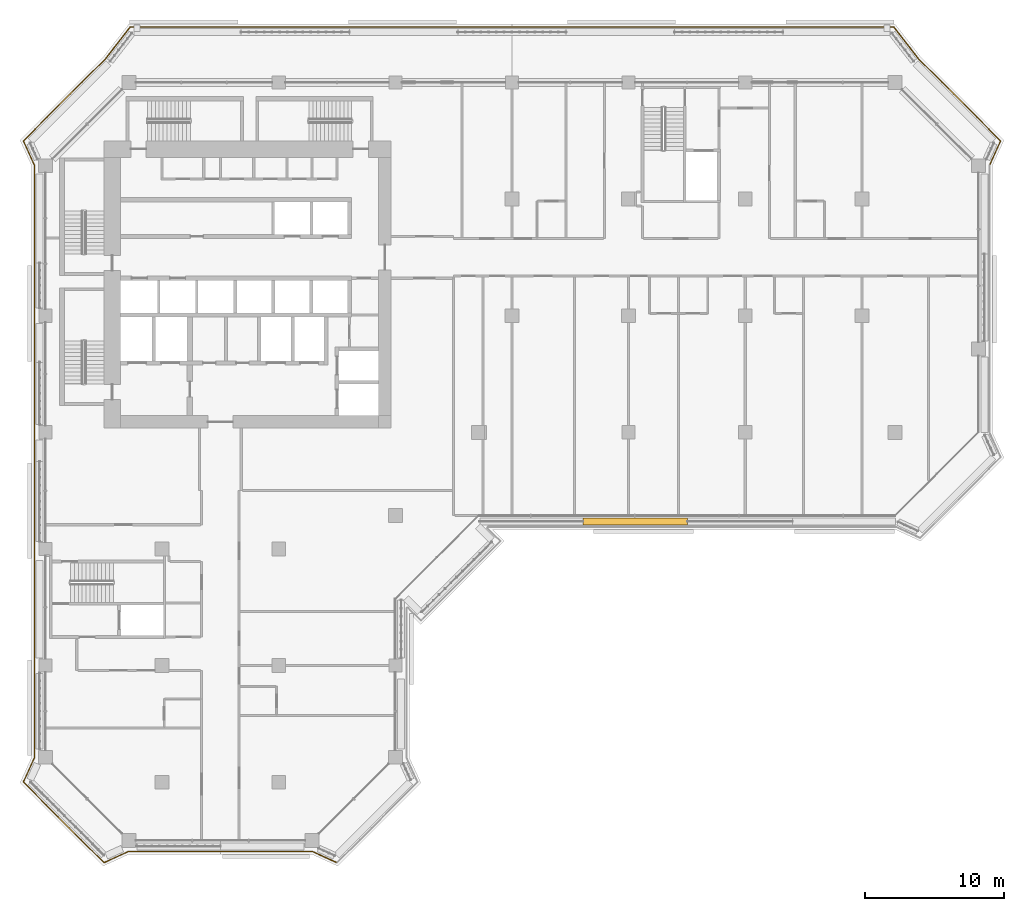
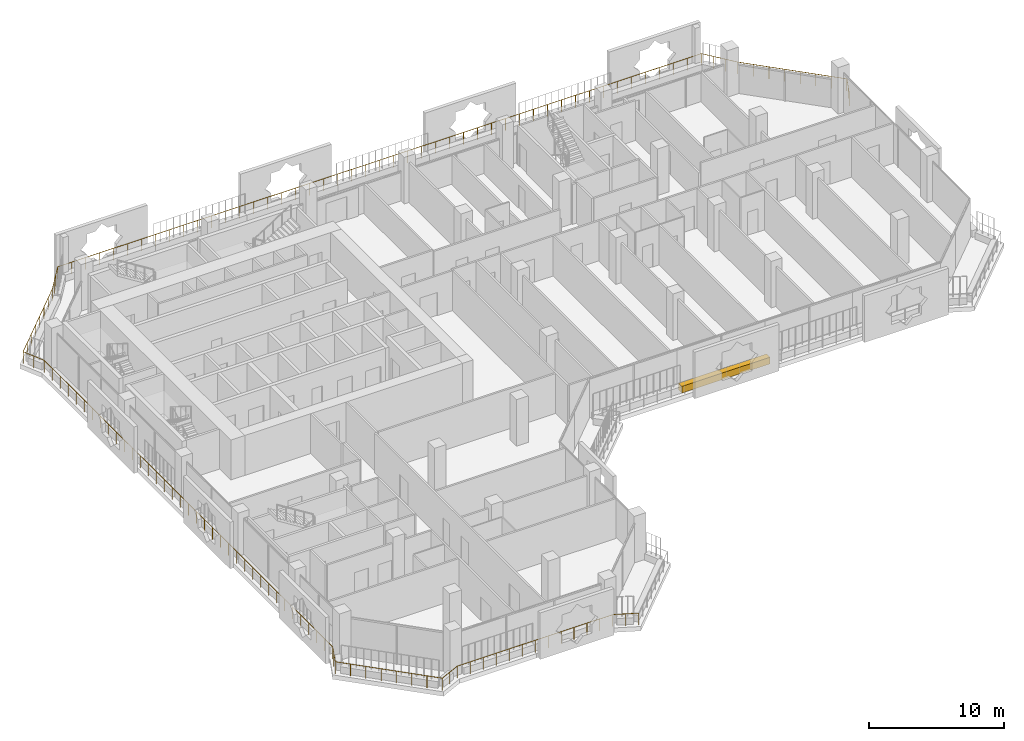
# One storey, part 18 of 22: 1 covering, 1 railing.
"""IFC4 building model written with IfcOpenShell, lengths in metres."""

from ifc_helpers import new_model, si_unit, direction, frame, origin, origin_2d, place, context, subcontext, project, spatial, rectangle, circle, extrude, material, material_profile, profile_set, type_object, element, save


model = new_model("IFC4")

# Units and contexts
model_context = context("Model", 3, precision=1e-05, world=origin(), true_north=direction((0.0, 1.0)))
body_context = subcontext(model_context, "Body", "Model", "MODEL_VIEW")
ifc_project = project(units=[si_unit("LENGTHUNIT", "METRE"), si_unit("AREAUNIT", "SQUARE_METRE"), si_unit("VOLUMEUNIT", "CUBIC_METRE"), si_unit("PLANEANGLEUNIT", "RADIAN"), si_unit("MASSUNIT", "GRAM", prefix="KILO")], contexts=[model_context])

# Site, building, storey
site_placement = place(None, origin())
site = spatial("IfcSite", under=ifc_project, at=site_placement, CompositionType="ELEMENT")
building_placement = place(site_placement, origin())
building = spatial("IfcBuilding", under=site, at=building_placement, Name="Kawkab Arch Medical Tower", CompositionType="ELEMENT")
storey_placement = place(building_placement, frame((0.0, 0.0, 196.199951171875)))
storey = spatial("IfcBuildingStorey", under=building, at=storey_placement, Name="L45", CompositionType="ELEMENT", Elevation=196.199951171875)

# Railing
ifc_material_1 = material(Name="Bronze anodised aluminium guard", Category="aluminium")
railing_type = type_object("IfcRailingType", Name="Loggia and terrace guard 1100", PredefinedType="GUARDRAIL", material=ifc_material_1)
railing_placement = place(storey_placement, frame((20.9951171875, -56.197998046875, 0.0)))
element("IfcRailing", 1, at=railing_placement, inside=storey, type_object=railing_type, Name="Guard L45.LOG-01.1.1", PredefinedType="GUARDRAIL", context=body_context, shape_type="SweptSolid", body=[
    extrude(circle(Radius=0.02392578125, at=origin_2d()), frame((0.0, 0.0, 1.076171875), z_axis=(-0.910044860056, 0.414509773934, 0.0), x_axis=(-0.414509773934, -0.910044860056, 0.0)), (0.0, 0.0, 1.0), 1.92529296875),
    extrude(circle(Radius=0.02392578125, at=origin_2d()), frame((-1.752197265625, 0.798095703125, 1.076171875), z_axis=(-1.0, 0.0, 0.0), x_axis=(0.0, -1.0, 0.0)), (0.0, 0.0, 1.0), 13.285888671875),
    extrude(circle(Radius=0.02392578125, at=origin_2d()), frame((-15.0380859375, 0.798095703125, 1.076171875), z_axis=(-0.910023069687, -0.414557610759, 0.0), x_axis=(0.414557610759, -0.910023069687, 0.0)), (0.0, 0.0, 1.0), 1.92529296875),
    extrude(circle(Radius=0.02392578125, at=origin_2d()), frame((-16.7900390625, 0.0, 1.076171875), z_axis=(-0.707106781187, 0.707106781187, 0.0), x_axis=(-0.707106781187, -0.707106781187, 0.0)), (0.0, 0.0, 1.0), 8.20654296875),
    extrude(circle(Radius=0.02392578125, at=origin_2d()), frame((-22.593017578125, 5.802978515625, 1.076171875), z_axis=(0.414452581809, 0.910070907914, 0.0), x_axis=(-0.910070907914, 0.414452581809, 0.0)), (0.0, 0.0, 1.0), 1.925048828125),
    extrude(circle(Radius=0.02392578125, at=origin_2d()), frame((-21.795166015625, 7.554931640625, 1.076171875), z_axis=(0.0, 1.0, 0.0), x_axis=(-1.0, 0.0, 0.0)), (0.0, 0.0, 1.0), 42.68603515625),
    extrude(circle(Radius=0.02392578125, at=origin_2d()), frame((-21.795166015625, 50.240966796875, 1.076171875), z_axis=(-0.414452581809, 0.910070907914, 0.0), x_axis=(-0.910070907914, -0.414452581809, 0.0)), (0.0, 0.0, 1.0), 1.925048828125),
    extrude(circle(Radius=0.02392578125, at=origin_2d()), frame((-22.593017578125, 51.992919921875, 1.076171875), z_axis=(0.707092175918, 0.707121386154, 0.0), x_axis=(-0.707121386154, 0.707092175918, 0.0)), (0.0, 0.0, 1.0), 8.358154296875),
    extrude(circle(Radius=0.02392578125, at=origin_2d()), frame((-16.68310546875, 57.903076171875, 1.076171875), z_axis=(0.614144026922, 0.789193964876, 0.0), x_axis=(-0.789193964876, 0.614144026922, 0.0)), (0.0, 0.0, 1.0), 2.907958984375),
    extrude(circle(Radius=0.02392578125, at=origin_2d()), frame((-14.897216796875, 60.197998046875, 1.076171875), z_axis=(1.0, 0.0, 0.0), x_axis=(0.0, 1.0, 0.0)), (0.0, 0.0, 1.0), 55.004150390625),
    extrude(circle(Radius=0.02392578125, at=origin_2d()), frame((40.10693359375, 60.197998046875, 1.076171875), z_axis=(0.614144026922, -0.789193964876, 0.0), x_axis=(0.789193964876, 0.614144026922, 0.0)), (0.0, 0.0, 1.0), 2.907958984375),
    extrude(circle(Radius=0.02392578125, at=origin_2d()), frame((41.892822265625, 57.903076171875, 1.076171875), z_axis=(0.707106781187, -0.707106781187, 0.0), x_axis=(0.707106781187, 0.707106781187, 0.0)), (0.0, 0.0, 1.0), 8.358154296875),
    extrude(circle(Radius=0.02392578125, at=origin_2d()), frame((47.802978515625, 51.992919921875, 1.076171875), z_axis=(-0.414557610759, -0.910023069687, 0.0), x_axis=(0.910023069687, -0.414557610759, 0.0)), (0.0, 0.0, 1.0), 1.92529296875),
    extrude(circle(Radius=0.02099609375, at=origin_2d()), origin(), (0.0, 0.0, 1.0), 1.052001953125),
    extrude(circle(Radius=0.02099609375, at=origin_2d()), frame((-0.8759765625, 0.39892578125, 0.0)), (0.0, 0.0, 1.0), 1.052001953125),
    extrude(circle(Radius=0.02099609375, at=origin_2d()), frame((-1.752197265625, 0.798095703125, 0.0)), (0.0, 0.0, 1.0), 1.052001953125),
    extrude(circle(Radius=0.02099609375, at=origin_2d()), frame((-2.859375, 0.798095703125, 0.0)), (0.0, 0.0, 1.0), 1.052001953125),
    extrude(circle(Radius=0.02099609375, at=origin_2d()), frame((-3.966552734375, 0.798095703125, 0.0)), (0.0, 0.0, 1.0), 1.052001953125),
    extrude(circle(Radius=0.02099609375, at=origin_2d()), frame((-5.07373046875, 0.798095703125, 0.0)), (0.0, 0.0, 1.0), 1.052001953125),
    extrude(circle(Radius=0.02099609375, at=origin_2d()), frame((-6.180908203125, 0.798095703125, 0.0)), (0.0, 0.0, 1.0), 1.052001953125),
    extrude(circle(Radius=0.02099609375, at=origin_2d()), frame((-7.2880859375, 0.798095703125, 0.0)), (0.0, 0.0, 1.0), 1.052001953125),
    extrude(circle(Radius=0.02099609375, at=origin_2d()), frame((-8.39501953125, 0.798095703125, 0.0)), (0.0, 0.0, 1.0), 1.052001953125),
    extrude(circle(Radius=0.02099609375, at=origin_2d()), frame((-9.502197265625, 0.798095703125, 0.0)), (0.0, 0.0, 1.0), 1.052001953125),
    extrude(circle(Radius=0.02099609375, at=origin_2d()), frame((-10.609375, 0.798095703125, 0.0)), (0.0, 0.0, 1.0), 1.052001953125),
    extrude(circle(Radius=0.02099609375, at=origin_2d()), frame((-11.716552734375, 0.798095703125, 0.0)), (0.0, 0.0, 1.0), 1.052001953125),
    extrude(circle(Radius=0.02099609375, at=origin_2d()), frame((-12.82373046875, 0.798095703125, 0.0)), (0.0, 0.0, 1.0), 1.052001953125),
    extrude(circle(Radius=0.02099609375, at=origin_2d()), frame((-13.930908203125, 0.798095703125, 0.0)), (0.0, 0.0, 1.0), 1.052001953125),
    extrude(circle(Radius=0.02099609375, at=origin_2d()), frame((-15.0380859375, 0.798095703125, 0.0)), (0.0, 0.0, 1.0), 1.052001953125),
    extrude(circle(Radius=0.02099609375, at=origin_2d()), frame((-15.9140625, 0.39892578125, 0.0)), (0.0, 0.0, 1.0), 1.052001953125),
    extrude(circle(Radius=0.02099609375, at=origin_2d()), frame((-16.7900390625, 0.0, 0.0)), (0.0, 0.0, 1.0), 1.052001953125),
    extrude(circle(Radius=0.02099609375, at=origin_2d()), frame((-17.619140625, 0.8291015625, 0.0)), (0.0, 0.0, 1.0), 1.052001953125),
    extrude(circle(Radius=0.02099609375, at=origin_2d()), frame((-18.447998046875, 1.657958984375, 0.0)), (0.0, 0.0, 1.0), 1.052001953125),
    extrude(circle(Radius=0.02099609375, at=origin_2d()), frame((-19.277099609375, 2.487060546875, 0.0)), (0.0, 0.0, 1.0), 1.052001953125),
    extrude(circle(Radius=0.02099609375, at=origin_2d()), frame((-20.10595703125, 3.31591796875, 0.0)), (0.0, 0.0, 1.0), 1.052001953125),
    extrude(circle(Radius=0.02099609375, at=origin_2d()), frame((-20.93505859375, 4.14501953125, 0.0)), (0.0, 0.0, 1.0), 1.052001953125),
    extrude(circle(Radius=0.02099609375, at=origin_2d()), frame((-21.763916015625, 4.973876953125, 0.0)), (0.0, 0.0, 1.0), 1.052001953125),
    extrude(circle(Radius=0.02099609375, at=origin_2d()), frame((-22.593017578125, 5.802978515625, 0.0)), (0.0, 0.0, 1.0), 1.052001953125),
    extrude(circle(Radius=0.02099609375, at=origin_2d()), frame((-22.194091796875, 6.678955078125, 0.0)), (0.0, 0.0, 1.0), 1.052001953125),
    extrude(circle(Radius=0.02099609375, at=origin_2d()), frame((-21.795166015625, 7.554931640625, 0.0)), (0.0, 0.0, 1.0), 1.052001953125),
    extrude(circle(Radius=0.02099609375, at=origin_2d()), frame((-21.795166015625, 8.74072265625, 0.0)), (0.0, 0.0, 1.0), 1.052001953125),
    extrude(circle(Radius=0.02099609375, at=origin_2d()), frame((-21.795166015625, 9.92626953125, 0.0)), (0.0, 0.0, 1.0), 1.052001953125),
    extrude(circle(Radius=0.02099609375, at=origin_2d()), frame((-21.795166015625, 11.112060546875, 0.0)), (0.0, 0.0, 1.0), 1.052001953125),
    extrude(circle(Radius=0.02099609375, at=origin_2d()), frame((-21.795166015625, 12.2978515625, 0.0)), (0.0, 0.0, 1.0), 1.052001953125),
    extrude(circle(Radius=0.02099609375, at=origin_2d()), frame((-21.795166015625, 13.483642578125, 0.0)), (0.0, 0.0, 1.0), 1.052001953125),
    extrude(circle(Radius=0.02099609375, at=origin_2d()), frame((-21.795166015625, 14.669189453125, 0.0)), (0.0, 0.0, 1.0), 1.052001953125),
    extrude(circle(Radius=0.02099609375, at=origin_2d()), frame((-21.795166015625, 15.85498046875, 0.0)), (0.0, 0.0, 1.0), 1.052001953125),
    extrude(circle(Radius=0.02099609375, at=origin_2d()), frame((-21.795166015625, 17.040771484375, 0.0)), (0.0, 0.0, 1.0), 1.052001953125),
    extrude(circle(Radius=0.02099609375, at=origin_2d()), frame((-21.795166015625, 18.2265625, 0.0)), (0.0, 0.0, 1.0), 1.052001953125),
    extrude(circle(Radius=0.02099609375, at=origin_2d()), frame((-21.795166015625, 19.412109375, 0.0)), (0.0, 0.0, 1.0), 1.052001953125),
    extrude(circle(Radius=0.02099609375, at=origin_2d()), frame((-21.795166015625, 20.597900390625, 0.0)), (0.0, 0.0, 1.0), 1.052001953125),
    extrude(circle(Radius=0.02099609375, at=origin_2d()), frame((-21.795166015625, 21.78369140625, 0.0)), (0.0, 0.0, 1.0), 1.052001953125),
    extrude(circle(Radius=0.02099609375, at=origin_2d()), frame((-21.795166015625, 22.96923828125, 0.0)), (0.0, 0.0, 1.0), 1.052001953125),
    extrude(circle(Radius=0.02099609375, at=origin_2d()), frame((-21.795166015625, 24.155029296875, 0.0)), (0.0, 0.0, 1.0), 1.052001953125),
    extrude(circle(Radius=0.02099609375, at=origin_2d()), frame((-21.795166015625, 25.3408203125, 0.0)), (0.0, 0.0, 1.0), 1.052001953125),
    extrude(circle(Radius=0.02099609375, at=origin_2d()), frame((-21.795166015625, 26.526611328125, 0.0)), (0.0, 0.0, 1.0), 1.052001953125),
    extrude(circle(Radius=0.02099609375, at=origin_2d()), frame((-21.795166015625, 27.712158203125, 0.0)), (0.0, 0.0, 1.0), 1.052001953125),
    extrude(circle(Radius=0.02099609375, at=origin_2d()), frame((-21.795166015625, 28.89794921875, 0.0)), (0.0, 0.0, 1.0), 1.052001953125),
    extrude(circle(Radius=0.02099609375, at=origin_2d()), frame((-21.795166015625, 30.083740234375, 0.0)), (0.0, 0.0, 1.0), 1.052001953125),
    extrude(circle(Radius=0.02099609375, at=origin_2d()), frame((-21.795166015625, 31.269287109375, 0.0)), (0.0, 0.0, 1.0), 1.052001953125),
    extrude(circle(Radius=0.02099609375, at=origin_2d()), frame((-21.795166015625, 32.455078125, 0.0)), (0.0, 0.0, 1.0), 1.052001953125),
    extrude(circle(Radius=0.02099609375, at=origin_2d()), frame((-21.795166015625, 33.640869140625, 0.0)), (0.0, 0.0, 1.0), 1.052001953125),
    extrude(circle(Radius=0.02099609375, at=origin_2d()), frame((-21.795166015625, 34.82666015625, 0.0)), (0.0, 0.0, 1.0), 1.052001953125),
    extrude(circle(Radius=0.02099609375, at=origin_2d()), frame((-21.795166015625, 36.01220703125, 0.0)), (0.0, 0.0, 1.0), 1.052001953125),
    extrude(circle(Radius=0.02099609375, at=origin_2d()), frame((-21.795166015625, 37.197998046875, 0.0)), (0.0, 0.0, 1.0), 1.052001953125),
    extrude(circle(Radius=0.02099609375, at=origin_2d()), frame((-21.795166015625, 38.3837890625, 0.0)), (0.0, 0.0, 1.0), 1.052001953125),
    extrude(circle(Radius=0.02099609375, at=origin_2d()), frame((-21.795166015625, 39.5693359375, 0.0)), (0.0, 0.0, 1.0), 1.052001953125),
    extrude(circle(Radius=0.02099609375, at=origin_2d()), frame((-21.795166015625, 40.755126953125, 0.0)), (0.0, 0.0, 1.0), 1.052001953125),
    extrude(circle(Radius=0.02099609375, at=origin_2d()), frame((-21.795166015625, 41.94091796875, 0.0)), (0.0, 0.0, 1.0), 1.052001953125),
    extrude(circle(Radius=0.02099609375, at=origin_2d()), frame((-21.795166015625, 43.126708984375, 0.0)), (0.0, 0.0, 1.0), 1.052001953125),
    extrude(circle(Radius=0.02099609375, at=origin_2d()), frame((-21.795166015625, 44.312255859375, 0.0)), (0.0, 0.0, 1.0), 1.052001953125),
    extrude(circle(Radius=0.02099609375, at=origin_2d()), frame((-21.795166015625, 45.498046875, 0.0)), (0.0, 0.0, 1.0), 1.052001953125),
    extrude(circle(Radius=0.02099609375, at=origin_2d()), frame((-21.795166015625, 46.683837890625, 0.0)), (0.0, 0.0, 1.0), 1.052001953125),
    extrude(circle(Radius=0.02099609375, at=origin_2d()), frame((-21.795166015625, 47.86962890625, 0.0)), (0.0, 0.0, 1.0), 1.052001953125),
    extrude(circle(Radius=0.02099609375, at=origin_2d()), frame((-21.795166015625, 49.05517578125, 0.0)), (0.0, 0.0, 1.0), 1.052001953125),
    extrude(circle(Radius=0.02099609375, at=origin_2d()), frame((-21.795166015625, 50.240966796875, 0.0)), (0.0, 0.0, 1.0), 1.052001953125),
    extrude(circle(Radius=0.02099609375, at=origin_2d()), frame((-22.194091796875, 51.116943359375, 0.0)), (0.0, 0.0, 1.0), 1.052001953125),
    extrude(circle(Radius=0.02099609375, at=origin_2d()), frame((-22.593017578125, 51.992919921875, 0.0)), (0.0, 0.0, 1.0), 1.052001953125),
    extrude(circle(Radius=0.02099609375, at=origin_2d()), frame((-21.748779296875, 52.837158203125, 0.0)), (0.0, 0.0, 1.0), 1.052001953125),
    extrude(circle(Radius=0.02099609375, at=origin_2d()), frame((-20.904541015625, 53.681640625, 0.0)), (0.0, 0.0, 1.0), 1.052001953125),
    extrude(circle(Radius=0.02099609375, at=origin_2d()), frame((-20.060302734375, 54.52587890625, 0.0)), (0.0, 0.0, 1.0), 1.052001953125),
    extrude(circle(Radius=0.02099609375, at=origin_2d()), frame((-19.2158203125, 55.3701171875, 0.0)), (0.0, 0.0, 1.0), 1.052001953125),
    extrude(circle(Radius=0.02099609375, at=origin_2d()), frame((-18.37158203125, 56.21435546875, 0.0)), (0.0, 0.0, 1.0), 1.052001953125),
    extrude(circle(Radius=0.02099609375, at=origin_2d()), frame((-17.52734375, 57.058837890625, 0.0)), (0.0, 0.0, 1.0), 1.052001953125),
    extrude(circle(Radius=0.02099609375, at=origin_2d()), frame((-16.68310546875, 57.903076171875, 0.0)), (0.0, 0.0, 1.0), 1.052001953125),
    extrude(circle(Radius=0.02099609375, at=origin_2d()), frame((-16.087890625, 58.66796875, 0.0)), (0.0, 0.0, 1.0), 1.052001953125),
    extrude(circle(Radius=0.02099609375, at=origin_2d()), frame((-15.492431640625, 59.43310546875, 0.0)), (0.0, 0.0, 1.0), 1.052001953125),
    extrude(circle(Radius=0.02099609375, at=origin_2d()), frame((-14.897216796875, 60.197998046875, 0.0)), (0.0, 0.0, 1.0), 1.052001953125),
    extrude(circle(Radius=0.02099609375, at=origin_2d()), frame((-13.701416015625, 60.197998046875, 0.0)), (0.0, 0.0, 1.0), 1.052001953125),
    extrude(circle(Radius=0.02099609375, at=origin_2d()), frame((-12.505615234375, 60.197998046875, 0.0)), (0.0, 0.0, 1.0), 1.052001953125),
    extrude(circle(Radius=0.02099609375, at=origin_2d()), frame((-11.31005859375, 60.197998046875, 0.0)), (0.0, 0.0, 1.0), 1.052001953125),
    extrude(circle(Radius=0.02099609375, at=origin_2d()), frame((-10.1142578125, 60.197998046875, 0.0)), (0.0, 0.0, 1.0), 1.052001953125),
    extrude(circle(Radius=0.02099609375, at=origin_2d()), frame((-8.91845703125, 60.197998046875, 0.0)), (0.0, 0.0, 1.0), 1.052001953125),
    extrude(circle(Radius=0.02099609375, at=origin_2d()), frame((-7.72265625, 60.197998046875, 0.0)), (0.0, 0.0, 1.0), 1.052001953125),
    extrude(circle(Radius=0.02099609375, at=origin_2d()), frame((-6.527099609375, 60.197998046875, 0.0)), (0.0, 0.0, 1.0), 1.052001953125),
    extrude(circle(Radius=0.02099609375, at=origin_2d()), frame((-5.331298828125, 60.197998046875, 0.0)), (0.0, 0.0, 1.0), 1.052001953125),
    extrude(circle(Radius=0.02099609375, at=origin_2d()), frame((-4.135498046875, 60.197998046875, 0.0)), (0.0, 0.0, 1.0), 1.052001953125),
    extrude(circle(Radius=0.02099609375, at=origin_2d()), frame((-2.939697265625, 60.197998046875, 0.0)), (0.0, 0.0, 1.0), 1.052001953125),
    extrude(circle(Radius=0.02099609375, at=origin_2d()), frame((-1.744140625, 60.197998046875, 0.0)), (0.0, 0.0, 1.0), 1.052001953125),
    extrude(circle(Radius=0.02099609375, at=origin_2d()), frame((-0.54833984375, 60.197998046875, 0.0)), (0.0, 0.0, 1.0), 1.052001953125),
    extrude(circle(Radius=0.02099609375, at=origin_2d()), frame((0.6474609375, 60.197998046875, 0.0)), (0.0, 0.0, 1.0), 1.052001953125),
    extrude(circle(Radius=0.02099609375, at=origin_2d()), frame((1.84326171875, 60.197998046875, 0.0)), (0.0, 0.0, 1.0), 1.052001953125),
    extrude(circle(Radius=0.02099609375, at=origin_2d()), frame((3.038818359375, 60.197998046875, 0.0)), (0.0, 0.0, 1.0), 1.052001953125),
    extrude(circle(Radius=0.02099609375, at=origin_2d()), frame((4.234619140625, 60.197998046875, 0.0)), (0.0, 0.0, 1.0), 1.052001953125),
    extrude(circle(Radius=0.02099609375, at=origin_2d()), frame((5.430419921875, 60.197998046875, 0.0)), (0.0, 0.0, 1.0), 1.052001953125),
    extrude(circle(Radius=0.02099609375, at=origin_2d()), frame((6.626220703125, 60.197998046875, 0.0)), (0.0, 0.0, 1.0), 1.052001953125),
    extrude(circle(Radius=0.02099609375, at=origin_2d()), frame((7.82177734375, 60.197998046875, 0.0)), (0.0, 0.0, 1.0), 1.052001953125),
    extrude(circle(Radius=0.02099609375, at=origin_2d()), frame((9.017578125, 60.197998046875, 0.0)), (0.0, 0.0, 1.0), 1.052001953125),
    extrude(circle(Radius=0.02099609375, at=origin_2d()), frame((10.21337890625, 60.197998046875, 0.0)), (0.0, 0.0, 1.0), 1.052001953125),
    extrude(circle(Radius=0.02099609375, at=origin_2d()), frame((11.4091796875, 60.197998046875, 0.0)), (0.0, 0.0, 1.0), 1.052001953125),
    extrude(circle(Radius=0.02099609375, at=origin_2d()), frame((12.60498046875, 60.197998046875, 0.0)), (0.0, 0.0, 1.0), 1.052001953125),
    extrude(circle(Radius=0.02099609375, at=origin_2d()), frame((13.800537109375, 60.197998046875, 0.0)), (0.0, 0.0, 1.0), 1.052001953125),
    extrude(circle(Radius=0.02099609375, at=origin_2d()), frame((14.996337890625, 60.197998046875, 0.0)), (0.0, 0.0, 1.0), 1.052001953125),
    extrude(circle(Radius=0.02099609375, at=origin_2d()), frame((16.192138671875, 60.197998046875, 0.0)), (0.0, 0.0, 1.0), 1.052001953125),
    extrude(circle(Radius=0.02099609375, at=origin_2d()), frame((17.387939453125, 60.197998046875, 0.0)), (0.0, 0.0, 1.0), 1.052001953125),
    extrude(circle(Radius=0.02099609375, at=origin_2d()), frame((18.58349609375, 60.197998046875, 0.0)), (0.0, 0.0, 1.0), 1.052001953125),
    extrude(circle(Radius=0.02099609375, at=origin_2d()), frame((19.779296875, 60.197998046875, 0.0)), (0.0, 0.0, 1.0), 1.052001953125),
    extrude(circle(Radius=0.02099609375, at=origin_2d()), frame((20.97509765625, 60.197998046875, 0.0)), (0.0, 0.0, 1.0), 1.052001953125),
    extrude(circle(Radius=0.02099609375, at=origin_2d()), frame((22.1708984375, 60.197998046875, 0.0)), (0.0, 0.0, 1.0), 1.052001953125),
    extrude(circle(Radius=0.02099609375, at=origin_2d()), frame((23.366455078125, 60.197998046875, 0.0)), (0.0, 0.0, 1.0), 1.052001953125),
    extrude(circle(Radius=0.02099609375, at=origin_2d()), frame((24.562255859375, 60.197998046875, 0.0)), (0.0, 0.0, 1.0), 1.052001953125),
    extrude(circle(Radius=0.02099609375, at=origin_2d()), frame((25.758056640625, 60.197998046875, 0.0)), (0.0, 0.0, 1.0), 1.052001953125),
    extrude(circle(Radius=0.02099609375, at=origin_2d()), frame((26.953857421875, 60.197998046875, 0.0)), (0.0, 0.0, 1.0), 1.052001953125),
    extrude(circle(Radius=0.02099609375, at=origin_2d()), frame((28.1494140625, 60.197998046875, 0.0)), (0.0, 0.0, 1.0), 1.052001953125),
    extrude(circle(Radius=0.02099609375, at=origin_2d()), frame((29.34521484375, 60.197998046875, 0.0)), (0.0, 0.0, 1.0), 1.052001953125),
    extrude(circle(Radius=0.02099609375, at=origin_2d()), frame((30.541015625, 60.197998046875, 0.0)), (0.0, 0.0, 1.0), 1.052001953125),
    extrude(circle(Radius=0.02099609375, at=origin_2d()), frame((31.73681640625, 60.197998046875, 0.0)), (0.0, 0.0, 1.0), 1.052001953125),
    extrude(circle(Radius=0.02099609375, at=origin_2d()), frame((32.932373046875, 60.197998046875, 0.0)), (0.0, 0.0, 1.0), 1.052001953125),
    extrude(circle(Radius=0.02099609375, at=origin_2d()), frame((34.128173828125, 60.197998046875, 0.0)), (0.0, 0.0, 1.0), 1.052001953125),
    extrude(circle(Radius=0.02099609375, at=origin_2d()), frame((35.323974609375, 60.197998046875, 0.0)), (0.0, 0.0, 1.0), 1.052001953125),
    extrude(circle(Radius=0.02099609375, at=origin_2d()), frame((36.519775390625, 60.197998046875, 0.0)), (0.0, 0.0, 1.0), 1.052001953125),
    extrude(circle(Radius=0.02099609375, at=origin_2d()), frame((37.71533203125, 60.197998046875, 0.0)), (0.0, 0.0, 1.0), 1.052001953125),
    extrude(circle(Radius=0.02099609375, at=origin_2d()), frame((38.9111328125, 60.197998046875, 0.0)), (0.0, 0.0, 1.0), 1.052001953125),
    extrude(circle(Radius=0.02099609375, at=origin_2d()), frame((40.10693359375, 60.197998046875, 0.0)), (0.0, 0.0, 1.0), 1.052001953125),
    extrude(circle(Radius=0.02099609375, at=origin_2d()), frame((40.7021484375, 59.43310546875, 0.0)), (0.0, 0.0, 1.0), 1.052001953125),
    extrude(circle(Radius=0.02099609375, at=origin_2d()), frame((41.297607421875, 58.66796875, 0.0)), (0.0, 0.0, 1.0), 1.052001953125),
    extrude(circle(Radius=0.02099609375, at=origin_2d()), frame((41.892822265625, 57.903076171875, 0.0)), (0.0, 0.0, 1.0), 1.052001953125),
    extrude(circle(Radius=0.02099609375, at=origin_2d()), frame((42.737060546875, 57.058837890625, 0.0)), (0.0, 0.0, 1.0), 1.052001953125),
    extrude(circle(Radius=0.02099609375, at=origin_2d()), frame((43.58154296875, 56.21435546875, 0.0)), (0.0, 0.0, 1.0), 1.052001953125),
    extrude(circle(Radius=0.02099609375, at=origin_2d()), frame((44.42578125, 55.3701171875, 0.0)), (0.0, 0.0, 1.0), 1.052001953125),
    extrude(circle(Radius=0.02099609375, at=origin_2d()), frame((45.27001953125, 54.52587890625, 0.0)), (0.0, 0.0, 1.0), 1.052001953125),
    extrude(circle(Radius=0.02099609375, at=origin_2d()), frame((46.1142578125, 53.681640625, 0.0)), (0.0, 0.0, 1.0), 1.052001953125),
    extrude(circle(Radius=0.02099609375, at=origin_2d()), frame((46.958740234375, 52.837158203125, 0.0)), (0.0, 0.0, 1.0), 1.052001953125),
    extrude(circle(Radius=0.02099609375, at=origin_2d()), frame((47.802978515625, 51.992919921875, 0.0)), (0.0, 0.0, 1.0), 1.052001953125),
    extrude(circle(Radius=0.02099609375, at=origin_2d()), frame((47.40380859375, 51.116943359375, 0.0)), (0.0, 0.0, 1.0), 1.052001953125),
    extrude(circle(Radius=0.02099609375, at=origin_2d()), frame((47.0048828125, 50.240966796875, 0.0)), (0.0, 0.0, 1.0), 1.052001953125),
])

# Covering
ifc_material_2 = material(Name="Planting soil in a precast trough", Category="concrete")
ifc_material_profile = material_profile(ifc_material_2, rectangle(XDim=0.5, YDim=0.60009765625, at=origin_2d()), Name="Trough 500x600")
ifc_profile_set = profile_set([ifc_material_profile], Name="Planting soil in a precast trough")
covering_type = type_object("IfcCoveringType", Name="Planter trough 500 x 600", PredefinedType="USERDEFINED", material=ifc_profile_set)
covering_placement = place(storey_placement, frame((46.2548828125, -31.6201171875, 0.300048828125), z_axis=(-1.0, 0.0, 0.0), x_axis=(0.0, -1.0, 0.0)))
element("IfcCovering", 2, at=covering_placement, inside=storey, type_object=covering_type, Name="Planter L45.LOG-01-01.36", ObjectType="PLANTER", PredefinedType="USERDEFINED", context=body_context, shape_type="SweptSolid", body=[
    extrude(rectangle(XDim=0.5, YDim=0.60009765625, at=origin_2d()), origin(), (0.0, 0.0, 1.0), 7.534912109375),
])

save(model, "model.ifc")
